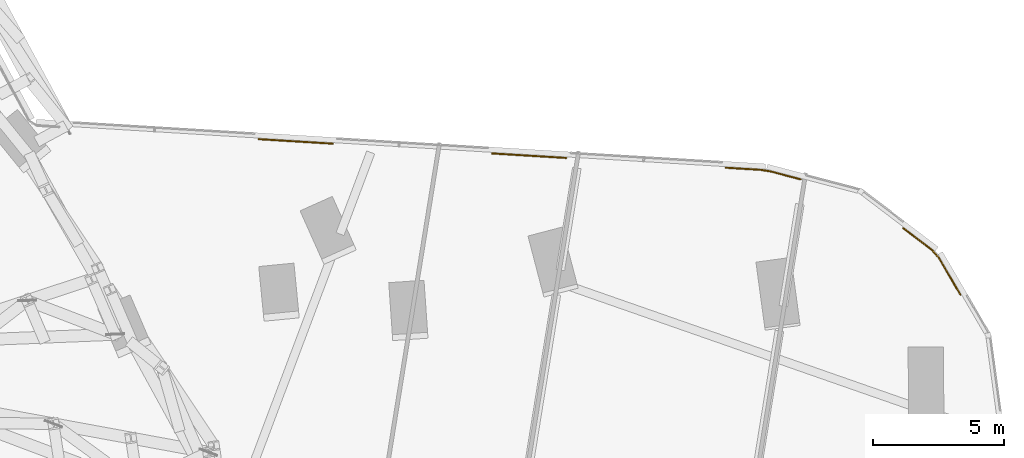
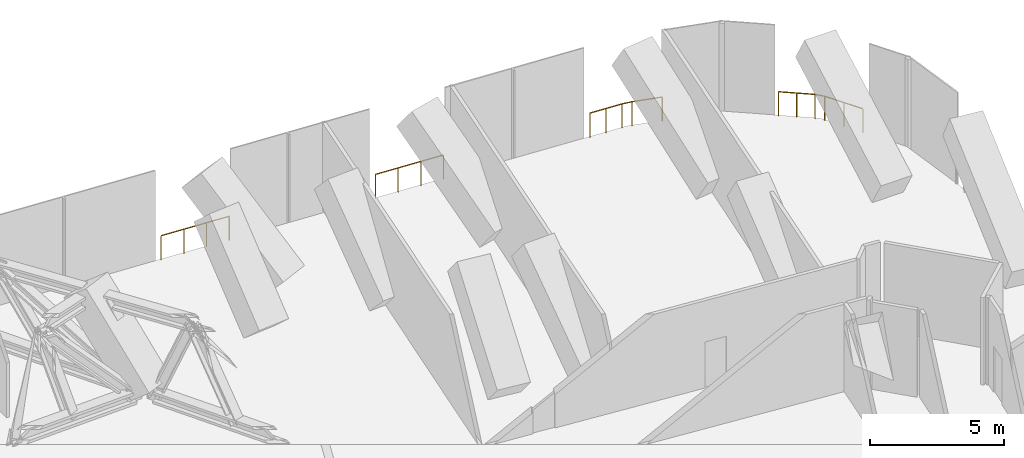
# One storey, part 38 of 39: 4 railings.
"""IFC4 building model written with IfcOpenShell, lengths in metres."""

from ifc_helpers import new_model, si_unit, direction, frame, origin, origin_2d, place, context, subcontext, project, spatial, circle, extrude, material, type_object, element, save


model = new_model("IFC4")

# Units and contexts
model_context = context("Model", 3, precision=1e-05, world=origin(), true_north=direction((0.0, 1.0)))
body_context = subcontext(model_context, "Body", "Model", "MODEL_VIEW")
ifc_project = project(units=[si_unit("LENGTHUNIT", "METRE"), si_unit("AREAUNIT", "SQUARE_METRE"), si_unit("VOLUMEUNIT", "CUBIC_METRE"), si_unit("PLANEANGLEUNIT", "RADIAN"), si_unit("MASSUNIT", "GRAM", prefix="KILO")], contexts=[model_context])

# Site, building, storey
site_placement = place(None, origin())
site = spatial("IfcSite", under=ifc_project, at=site_placement, CompositionType="ELEMENT")
building_placement = place(site_placement, origin())
building = spatial("IfcBuilding", under=site, at=building_placement, Name="Orlundy Tower", CompositionType="ELEMENT")
storey_placement = place(building_placement, frame((0.0, 0.0, 141.199951171875)))
storey = spatial("IfcBuildingStorey", under=building, at=storey_placement, Name="L36", CompositionType="ELEMENT", Elevation=141.199951171875)

# Railings
ifc_material = material(Name="Stainless steel bronze finish", Category="steel")
railing_type = type_object("IfcRailingType", Name="TG1 terrace guard", PredefinedType="GUARDRAIL", material=ifc_material)
railing_1_placement = place(storey_placement, frame((57.372314453125, 14.59130859375, 0.0)))
element("IfcRailing", 1, at=railing_1_placement, inside=storey, type_object=railing_type, Name="Guard TG-L36-E025", PredefinedType="GUARDRAIL", context=body_context, shape_type="SweptSolid", body=[
    extrude(circle(Radius=0.02490234375, at=origin_2d()), frame((0.0, 0.0, 1.09521484375), z_axis=(0.796121526761, -0.605136773489, 0.0), x_axis=(0.605136773489, 0.796121526761, 0.0)), (0.0, 0.0, 1.0), 1.38818359375),
    extrude(circle(Radius=0.02490234375, at=origin_2d()), frame((1.105224609375, -0.840087890625, 1.09521484375), z_axis=(0.662713647944, -0.748872900316, 0.0), x_axis=(0.748872900316, 0.662713647944, 0.0)), (0.0, 0.0, 1.0), 0.376953125),
    extrude(circle(Radius=0.02490234375, at=origin_2d()), frame((1.35498046875, -1.122314453125, 1.09521484375), z_axis=(0.503704379634, -0.863876089458, 0.0), x_axis=(0.863876089458, 0.503704379634, 0.0)), (0.0, 0.0, 1.0), 1.6396484375),
    extrude(circle(Radius=0.02001953125, at=origin_2d()), origin(), (0.0, 0.0, 1.0), 1.070068359375),
    extrude(circle(Radius=0.02001953125, at=origin_2d()), frame((0.552734375, -0.419921875, 0.0)), (0.0, 0.0, 1.0), 1.070068359375),
    extrude(circle(Radius=0.02001953125, at=origin_2d()), frame((1.105224609375, -0.840087890625, 0.0)), (0.0, 0.0, 1.0), 1.070068359375),
    extrude(circle(Radius=0.02001953125, at=origin_2d()), frame((1.35498046875, -1.122314453125, 0.0)), (0.0, 0.0, 1.0), 1.070068359375),
    extrude(circle(Radius=0.02001953125, at=origin_2d()), frame((1.76806640625, -1.83056640625, 0.0)), (0.0, 0.0, 1.0), 1.070068359375),
    extrude(circle(Radius=0.02001953125, at=origin_2d()), frame((2.180908203125, -2.538818359375, 0.0)), (0.0, 0.0, 1.0), 1.070068359375),
])
railing_2_placement = place(storey_placement, frame((50.58544921875, 16.9033203125, 0.0)))
element("IfcRailing", 2, at=railing_2_placement, inside=storey, type_object=railing_type, Name="Guard TG-L36-E030", PredefinedType="GUARDRAIL", context=body_context, shape_type="SweptSolid", body=[
    extrude(circle(Radius=0.02490234375, at=origin_2d()), frame((0.0, 0.0, 1.09521484375), z_axis=(0.998126951686, -0.061176697513, 0.0), x_axis=(0.061176697513, 0.998126951686, 0.0)), (0.0, 0.0, 1.0), 1.3408203125),
    extrude(circle(Radius=0.02490234375, at=origin_2d()), frame((1.33837890625, -0.08203125, 1.09521484375), z_axis=(0.987389820327, -0.158307746858, 0.0), x_axis=(0.158307746858, 0.987389820327, 0.0)), (0.0, 0.0, 1.0), 0.39013671875),
    extrude(circle(Radius=0.02490234375, at=origin_2d()), frame((1.7236328125, -0.143798828125, 1.09521484375), z_axis=(0.966980535685, -0.254850237603, 0.0), x_axis=(0.254850237603, 0.966980535685, 0.0)), (0.0, 0.0, 1.0), 1.17822265625),
    extrude(circle(Radius=0.02001953125, at=origin_2d()), origin(), (0.0, 0.0, 1.0), 1.070068359375),
    extrude(circle(Radius=0.02001953125, at=origin_2d()), frame((0.669189453125, -0.041015625, 0.0)), (0.0, 0.0, 1.0), 1.070068359375),
    extrude(circle(Radius=0.02001953125, at=origin_2d()), frame((1.33837890625, -0.08203125, 0.0)), (0.0, 0.0, 1.0), 1.070068359375),
    extrude(circle(Radius=0.02001953125, at=origin_2d()), frame((1.7236328125, -0.143798828125, 0.0)), (0.0, 0.0, 1.0), 1.070068359375),
    extrude(circle(Radius=0.02001953125, at=origin_2d()), frame((2.863037109375, -0.444091796875, 0.0)), (0.0, 0.0, 1.0), 1.070068359375),
])
for number, where, name in (
    (3, (32.733154296875, 17.9951171875, 0.0), "Guard TG-L36-E032"),
    (4, (41.656982421875, 17.44921875, 0.0), "Guard TG-L36-E033"),
):
    element("IfcRailing", number, at=place(storey_placement, frame(where)), inside=storey, type_object=railing_type, Name=name, PredefinedType="GUARDRAIL", context=body_context, shape_type="SweptSolid", body=[
        extrude(circle(Radius=0.02490234375, at=origin_2d()), frame((0.0, 0.0, 1.09521484375), z_axis=(0.998137552125, -0.061003500216, 0.0), x_axis=(0.061003500216, 0.998137552125, 0.0)), (0.0, 0.0, 1.0), 2.841552734375),
        extrude(circle(Radius=0.02001953125, at=origin_2d()), origin(), (0.0, 0.0, 1.0), 1.070068359375),
        extrude(circle(Radius=0.02001953125, at=origin_2d()), frame((0.9453125, -0.057861328125, 0.0)), (0.0, 0.0, 1.0), 1.070068359375),
        extrude(circle(Radius=0.02001953125, at=origin_2d()), frame((1.890869140625, -0.115478515625, 0.0)), (0.0, 0.0, 1.0), 1.070068359375),
        extrude(circle(Radius=0.02001953125, at=origin_2d()), frame((2.836181640625, -0.17333984375, 0.0)), (0.0, 0.0, 1.0), 1.070068359375),
    ])

save(model, "model.ifc")
